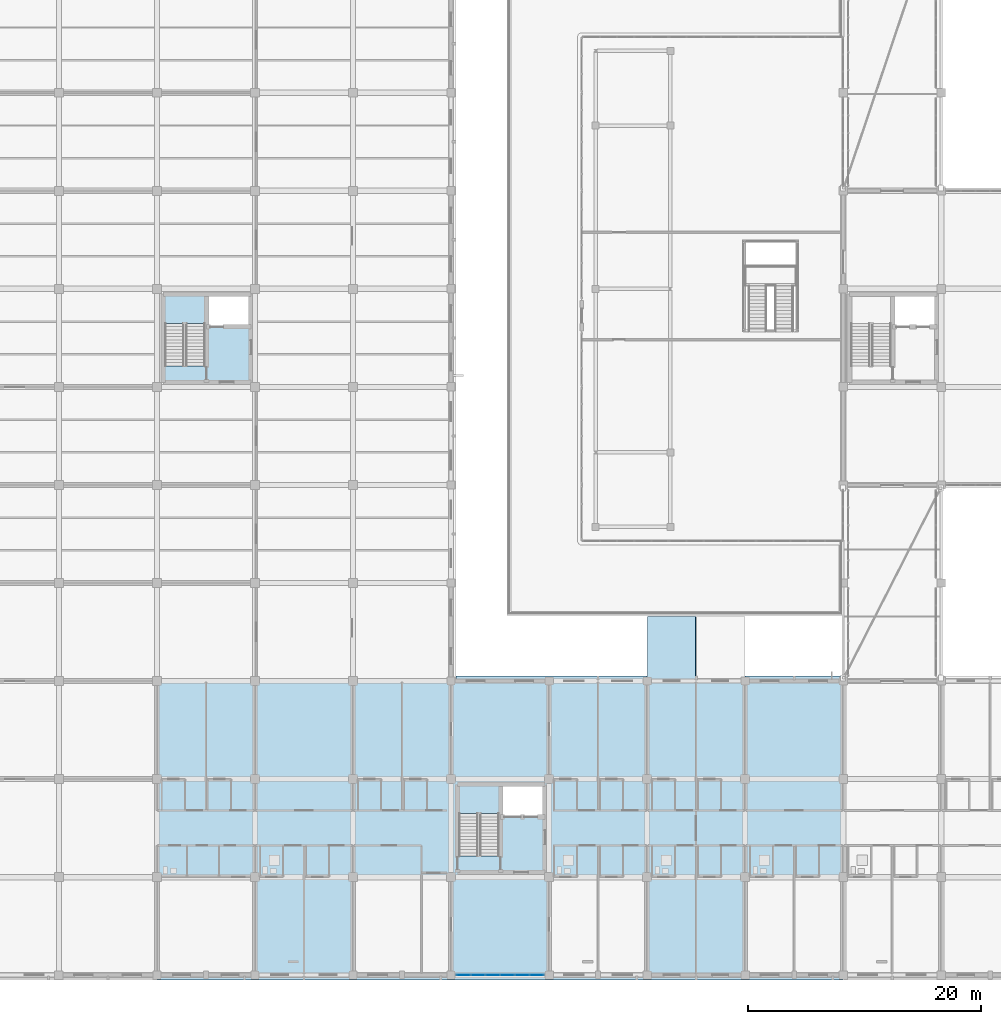
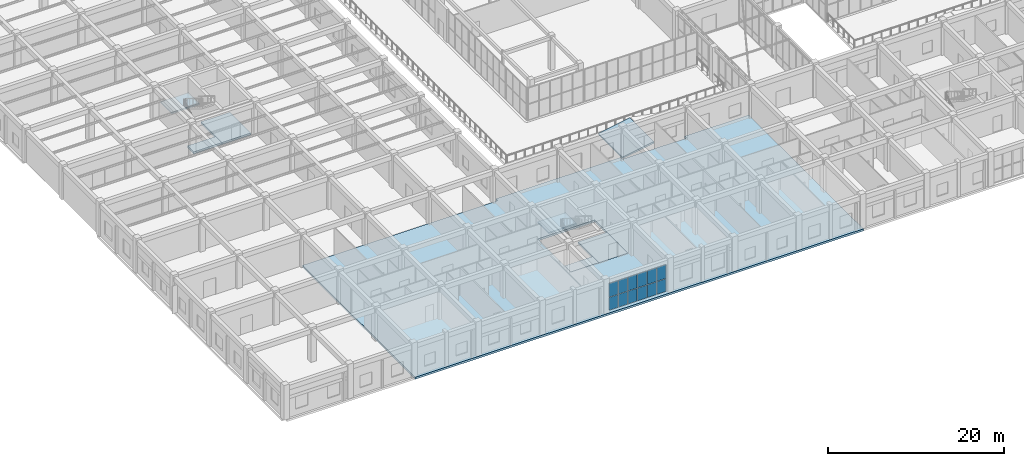
# One storey, part 101 of 158: 12 plates, 8 slabs, 3 elements without a shape of their own.
"""IFC4 building model written with IfcOpenShell, lengths in metres."""

from ifc_helpers import new_model, si_unit, direction, frame, origin, origin_2d, place, context, subcontext, project, spatial, polyline, rectangle, outline, extrude, material, layer, layer_set, type_object, element, aggregate, save


model = new_model("IFC4")

# Units and contexts
model_context = context("Model", 3, precision=1e-05, world=origin(), true_north=direction((0.0, 1.0)))
body_context = subcontext(model_context, "Body", "Model", "MODEL_VIEW")
ifc_project = project(units=[si_unit("LENGTHUNIT", "METRE"), si_unit("AREAUNIT", "SQUARE_METRE"), si_unit("VOLUMEUNIT", "CUBIC_METRE"), si_unit("PLANEANGLEUNIT", "RADIAN"), si_unit("MASSUNIT", "GRAM", prefix="KILO")], contexts=[model_context])

# Site, building, storey
site_placement = place(None, origin())
site = spatial("IfcSite", under=ifc_project, at=site_placement, CompositionType="ELEMENT")
building_placement = place(site_placement, origin())
building = spatial("IfcBuilding", under=site, at=building_placement, Name="Trelvath General Hospital", CompositionType="ELEMENT")
storey_placement = place(building_placement, frame((0.0, 0.0, 8.10009765625)))
storey = spatial("IfcBuildingStorey", under=building, at=storey_placement, Name="L02", CompositionType="ELEMENT", Elevation=8.10009765625)

# Curtain wall, plates
ifc_material_1 = material(Name="Anodised aluminium and low-E glass", Category="aluminium")
ifc_layer_1 = layer(ifc_material_1, 0.159912109375)
ifc_layer_set_1 = layer_set([ifc_layer_1], Name="Anodised aluminium and low-E glass")
curtain_wall_type = type_object("IfcCurtainWallType", Name="CW Facade 757 386 16", PredefinedType="USERDEFINED", material=ifc_layer_set_1)
curtain_wall_placement = place(storey_placement, origin())
curtain_wall = element("IfcCurtainWall", 1, at=curtain_wall_placement, inside=storey, type_object=curtain_wall_type, Name="Facade Curtain Wall CW-040", ObjectType="Unitised Glazed Curtain Wall", PredefinedType="USERDEFINED")
ifc_material_2 = material(Name="Low-E laminated glass", Category="glass")
ifc_layer_2 = layer(ifc_material_2, 0.028076171875)
ifc_layer_set_2 = layer_set([ifc_layer_2], Name="Low-E laminated glass")
plate_type = type_object("IfcPlateType", Name="CurtainPanel Glass28", PredefinedType="CURTAIN_PANEL", material=ifc_layer_set_2)
plate_1_placement = place(storey_placement, frame((49.339111328125, 0.0, 0.06005859375), z_axis=(0.0, 0.0, 1.0), x_axis=(-1.0, 0.0, 0.0)))
plate_1 = element("IfcPlate", 2, at=plate_1_placement, type_object=plate_type, Name="CW-040 panel 1.1", PredefinedType="CURTAIN_PANEL", context=body_context, shape_type="SweptSolid", body=[
    extrude(rectangle(XDim=1.171630859375, YDim=0.028076171875, at=origin_2d()), origin(), (0.0, 0.0, 1.0), 1.762939453125),
])
plate_2_placement = place(storey_placement, frame((49.339111328125, 0.0, 1.8828125), z_axis=(0.0, 0.0, 1.0), x_axis=(-1.0, 0.0, 0.0)))
plate_2 = element("IfcPlate", 3, at=plate_2_placement, type_object=plate_type, Name="CW-040 panel 1.2", PredefinedType="CURTAIN_PANEL", context=body_context, shape_type="SweptSolid", body=[
    extrude(rectangle(XDim=1.171630859375, YDim=0.028076171875, at=origin_2d()), origin(), (0.0, 0.0, 1.0), 1.9169921875),
])
plate_3_placement = place(storey_placement, frame((48.092529296875, 0.0, 0.06005859375), z_axis=(0.0, 0.0, 1.0), x_axis=(-1.0, 0.0, 0.0)))
plate_3 = element("IfcPlate", 4, at=plate_3_placement, type_object=plate_type, Name="CW-040 panel 2.1", PredefinedType="CURTAIN_PANEL", context=body_context, shape_type="SweptSolid", body=[
    extrude(rectangle(XDim=1.20166015625, YDim=0.028076171875, at=origin_2d()), origin(), (0.0, 0.0, 1.0), 1.762939453125),
])
plate_4_placement = place(storey_placement, frame((48.092529296875, 0.0, 1.8828125), z_axis=(0.0, 0.0, 1.0), x_axis=(-1.0, 0.0, 0.0)))
plate_4 = element("IfcPlate", 5, at=plate_4_placement, type_object=plate_type, Name="CW-040 panel 2.2", PredefinedType="CURTAIN_PANEL", context=body_context, shape_type="SweptSolid", body=[
    extrude(rectangle(XDim=1.20166015625, YDim=0.028076171875, at=origin_2d()), origin(), (0.0, 0.0, 1.0), 1.9169921875),
])
plate_5_placement = place(storey_placement, frame((46.830810546875, 0.0, 0.06005859375), z_axis=(0.0, 0.0, 1.0), x_axis=(-1.0, 0.0, 0.0)))
plate_5 = element("IfcPlate", 6, at=plate_5_placement, type_object=plate_type, Name="CW-040 panel 3.1", PredefinedType="CURTAIN_PANEL", context=body_context, shape_type="SweptSolid", body=[
    extrude(rectangle(XDim=1.20166015625, YDim=0.028076171875, at=origin_2d()), origin(), (0.0, 0.0, 1.0), 1.762939453125),
])
plate_6_placement = place(storey_placement, frame((46.830810546875, 0.0, 1.8828125), z_axis=(0.0, 0.0, 1.0), x_axis=(-1.0, 0.0, 0.0)))
plate_6 = element("IfcPlate", 7, at=plate_6_placement, type_object=plate_type, Name="CW-040 panel 3.2", PredefinedType="CURTAIN_PANEL", context=body_context, shape_type="SweptSolid", body=[
    extrude(rectangle(XDim=1.20166015625, YDim=0.028076171875, at=origin_2d()), origin(), (0.0, 0.0, 1.0), 1.9169921875),
])
plate_7_placement = place(storey_placement, frame((45.569091796875, 0.0, 0.06005859375), z_axis=(0.0, 0.0, 1.0), x_axis=(-1.0, 0.0, 0.0)))
plate_7 = element("IfcPlate", 8, at=plate_7_placement, type_object=plate_type, Name="CW-040 panel 4.1", PredefinedType="CURTAIN_PANEL", context=body_context, shape_type="SweptSolid", body=[
    extrude(rectangle(XDim=1.20166015625, YDim=0.028076171875, at=origin_2d()), origin(), (0.0, 0.0, 1.0), 1.762939453125),
])
plate_8_placement = place(storey_placement, frame((45.569091796875, 0.0, 1.8828125), z_axis=(0.0, 0.0, 1.0), x_axis=(-1.0, 0.0, 0.0)))
plate_8 = element("IfcPlate", 9, at=plate_8_placement, type_object=plate_type, Name="CW-040 panel 4.2", PredefinedType="CURTAIN_PANEL", context=body_context, shape_type="SweptSolid", body=[
    extrude(rectangle(XDim=1.20166015625, YDim=0.028076171875, at=origin_2d()), origin(), (0.0, 0.0, 1.0), 1.9169921875),
])
plate_9_placement = place(storey_placement, frame((44.3076171875, 0.0, 0.06005859375), z_axis=(0.0, 0.0, 1.0), x_axis=(-1.0, 0.0, 0.0)))
plate_9 = element("IfcPlate", 10, at=plate_9_placement, type_object=plate_type, Name="CW-040 panel 5.1", PredefinedType="CURTAIN_PANEL", context=body_context, shape_type="SweptSolid", body=[
    extrude(rectangle(XDim=1.20166015625, YDim=0.028076171875, at=origin_2d()), origin(), (0.0, 0.0, 1.0), 1.762939453125),
])
plate_10_placement = place(storey_placement, frame((44.3076171875, 0.0, 1.8828125), z_axis=(0.0, 0.0, 1.0), x_axis=(-1.0, 0.0, 0.0)))
plate_10 = element("IfcPlate", 11, at=plate_10_placement, type_object=plate_type, Name="CW-040 panel 5.2", PredefinedType="CURTAIN_PANEL", context=body_context, shape_type="SweptSolid", body=[
    extrude(rectangle(XDim=1.20166015625, YDim=0.028076171875, at=origin_2d()), origin(), (0.0, 0.0, 1.0), 1.9169921875),
])
plate_11_placement = place(storey_placement, frame((43.060791015625, 0.0, 0.06005859375), z_axis=(0.0, 0.0, 1.0), x_axis=(-1.0, 0.0, 0.0)))
plate_11 = element("IfcPlate", 12, at=plate_11_placement, type_object=plate_type, Name="CW-040 panel 6.1", PredefinedType="CURTAIN_PANEL", context=body_context, shape_type="SweptSolid", body=[
    extrude(rectangle(XDim=1.171630859375, YDim=0.028076171875, at=origin_2d()), origin(), (0.0, 0.0, 1.0), 1.762939453125),
])
plate_12_placement = place(storey_placement, frame((43.060791015625, 0.0, 1.8828125), z_axis=(0.0, 0.0, 1.0), x_axis=(-1.0, 0.0, 0.0)))
plate_12 = element("IfcPlate", 13, at=plate_12_placement, type_object=plate_type, Name="CW-040 panel 6.2", PredefinedType="CURTAIN_PANEL", context=body_context, shape_type="SweptSolid", body=[
    extrude(rectangle(XDim=1.171630859375, YDim=0.028076171875, at=origin_2d()), origin(), (0.0, 0.0, 1.0), 1.9169921875),
])
aggregate(curtain_wall, [plate_1, plate_2, plate_3, plate_4, plate_5, plate_6, plate_7, plate_8, plate_9, plate_10, plate_11, plate_12])

# Slabs
ifc_material_3 = material(Name="Concrete C35/45", Category="concrete")
ifc_layer_3 = layer(ifc_material_3, 0.280029296875)
ifc_layer_set_3 = layer_set([ifc_layer_3], Name="Concrete C35/45")
slab_type_1 = type_object("IfcSlabType", Name="FlatSlab Clinical280", PredefinedType="FLOOR", material=ifc_layer_set_3)
slab_1_placement = place(storey_placement, frame((0.0, 0.0, -0.280029296875)))
element("IfcSlab", 14, at=slab_1_placement, inside=storey, type_object=slab_type_1, Name="Floor Slab SL-L02-V6-S1", PredefinedType="FLOOR", context=body_context, shape_type="SweptSolid", body=[
    extrude(outline(polyline([(75.60009765625, -0.02001953125), (75.60009765625, -0.419921875), (16.820068359375, -0.419921875), (16.820068359375, 25.179931640625), (42.02001953125, 25.179931640625), (42.02001953125, 25.199951171875), (42.43994140625, 25.199951171875), (42.43994140625, 25.6201171875), (58.800048828125, 25.6201171875), (58.800048828125, 25.199951171875), (67.199951171875, 25.199951171875), (67.199951171875, 25.6201171875), (75.60009765625, 25.6201171875), (75.60009765625, 25.219970703125), (75.580078125, 25.219970703125), (75.60009765625, 25.199951171875), (75.60009765625, 0.0), (75.580078125, -0.02001953125), (75.60009765625, -0.02001953125)]), holes=[polyline([(42.550048828125, 8.800048828125), (50.050048828125, 8.800048828125), (50.050048828125, 16.35009765625), (42.550048828125, 16.35009765625), (42.550048828125, 8.800048828125)])]), origin(), (0.0, 0.0, 1.0), 0.280029296875),
])
slab_2_placement = place(storey_placement, frame((0.0, 0.0, -0.280029296875)))
element("IfcSlab", 15, at=slab_2_placement, inside=storey, type_object=slab_type_1, Name="Core Lobby Slab C4 L02", PredefinedType="FLOOR", context=body_context, shape_type="SweptSolid", body=[
    extrude(outline(polyline([(46.25, 8.800048828125), (50.050048828125, 8.800048828125), (50.050048828125, 13.550048828125), (46.25, 13.550048828125), (46.25, 8.800048828125)])), origin(), (0.0, 0.0, 1.0), 0.280029296875),
])
slab_3_placement = place(storey_placement, frame((0.0, 0.0, -0.280029296875)))
element("IfcSlab", 16, at=slab_3_placement, inside=storey, type_object=slab_type_1, Name="Stair Landing Slab C4 L02", PredefinedType="FLOOR", context=body_context, shape_type="SweptSolid", body=[
    extrude(outline(polyline([(42.550048828125, 8.800048828125), (46.25, 8.800048828125), (46.25, 10.199951171875), (42.550048828125, 10.199951171875), (42.550048828125, 8.800048828125)])), origin(), (0.0, 0.0, 1.0), 0.280029296875),
])
slab_4_placement = place(storey_placement, frame((0.0, 0.0, -0.280029296875)))
element("IfcSlab", 17, at=slab_4_placement, inside=storey, type_object=slab_type_1, Name="Core Lobby Slab C8 L02", PredefinedType="FLOOR", context=body_context, shape_type="SweptSolid", body=[
    extrude(outline(polyline([(21.050048828125, 50.800048828125), (24.85009765625, 50.800048828125), (24.85009765625, 55.550048828125), (21.050048828125, 55.550048828125), (21.050048828125, 50.800048828125)])), origin(), (0.0, 0.0, 1.0), 0.280029296875),
])
slab_5_placement = place(storey_placement, frame((0.0, 0.0, -0.280029296875)))
element("IfcSlab", 18, at=slab_5_placement, inside=storey, type_object=slab_type_1, Name="Stair Landing Slab C8 L02", PredefinedType="FLOOR", context=body_context, shape_type="SweptSolid", body=[
    extrude(outline(polyline([(17.35009765625, 50.800048828125), (21.050048828125, 50.800048828125), (21.050048828125, 52.199951171875), (17.35009765625, 52.199951171875), (17.35009765625, 50.800048828125)])), origin(), (0.0, 0.0, 1.0), 0.280029296875),
])
ifc_material_4 = material(Name="Concrete C35/45", Category="concrete")
ifc_layer_4 = layer(ifc_material_4, 0.219970703125)
ifc_layer_set_4 = layer_set([ifc_layer_4], Name="Concrete C35/45")
slab_type_2 = type_object("IfcSlabType", Name="RoofSlab Folded220", PredefinedType="ROOF", material=ifc_layer_set_4)
slab_6_placement = place(storey_placement, frame((58.820068359375, 25.260009765625, 0.22998046875), z_axis=(-0.171741769029, 0.0, 0.985142002338), x_axis=(0.985142002338, 0.0, 0.171741769029)))
element("IfcSlab", 19, at=slab_6_placement, inside=storey, type_object=slab_type_2, Name="Glazed Bridge Gable Roof BRG-S-W W", PredefinedType="ROOF", context=body_context, shape_type="SweptSolid", body=[
    extrude(outline(polyline([(0.0, 0.0), (4.192170065531839, 0.0), (4.192170065531839, 5.47998046875), (0.0, 5.47998046875), (0.0, 0.0)])), origin(), (0.0, 0.0, -1.0), 0.219970703125),
])

# Stair, slab
ifc_material_5 = material(Name="Concrete C35/45", Category="concrete")
stair_type = type_object("IfcStairType", Name="Stair Stretcher480", PredefinedType="TWO_STRAIGHT_RUN_STAIR", material=ifc_material_5)
stair_1_placement = place(storey_placement, origin())
stair_1 = element("IfcStair", 20, at=stair_1_placement, inside=storey, type_object=stair_type, Name="Exit Stair ST4 L02", PredefinedType="TWO_STRAIGHT_RUN_STAIR")
ifc_material_6 = material(Name="Concrete C35/45", Category="concrete")
ifc_layer_5 = layer(ifc_material_6, 0.199951171875)
ifc_layer_set_5 = layer_set([ifc_layer_5], Name="Concrete C35/45")
slab_type_3 = type_object("IfcSlabType", Name="StairLanding 200", PredefinedType="LANDING", material=ifc_layer_set_5)
slab_7_placement = place(storey_placement, frame((0.0, 0.0, 2.199951171875)))
slab_7 = element("IfcSlab", 21, at=slab_7_placement, type_object=slab_type_3, Name="ST4-L02 landing 1", PredefinedType="LANDING", context=body_context, shape_type="SweptSolid", body=[
    extrude(outline(polyline([(42.56005859375, 13.840087890625), (46.239990234375, 13.840087890625), (46.239990234375, 16.340087890625), (42.56005859375, 16.340087890625), (42.56005859375, 13.840087890625)])), origin(), (0.0, 0.0, 1.0), 0.199951171875),
])
aggregate(stair_1, [slab_7])

stair_2_placement = place(storey_placement, origin())
stair_2 = element("IfcStair", 22, at=stair_2_placement, inside=storey, type_object=stair_type, Name="Exit Stair ST8 L02", PredefinedType="TWO_STRAIGHT_RUN_STAIR")
slab_8_placement = place(storey_placement, frame((0.0, 0.0, 2.199951171875)))
slab_8 = element("IfcSlab", 23, at=slab_8_placement, type_object=slab_type_3, Name="ST8-L02 landing 1", PredefinedType="LANDING", context=body_context, shape_type="SweptSolid", body=[
    extrude(outline(polyline([(17.360107421875, 55.840087890625), (21.0400390625, 55.840087890625), (21.0400390625, 58.340087890625), (17.360107421875, 58.340087890625), (17.360107421875, 55.840087890625)])), origin(), (0.0, 0.0, 1.0), 0.199951171875),
])
aggregate(stair_2, [slab_8])

save(model, "model.ifc")
